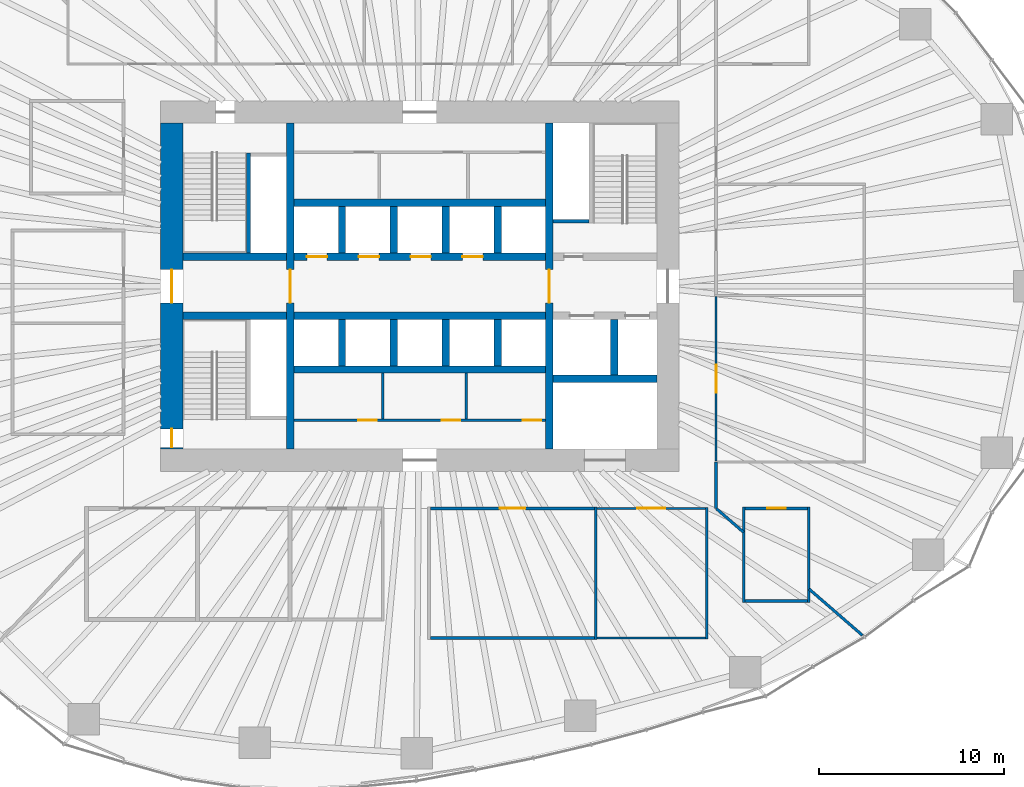
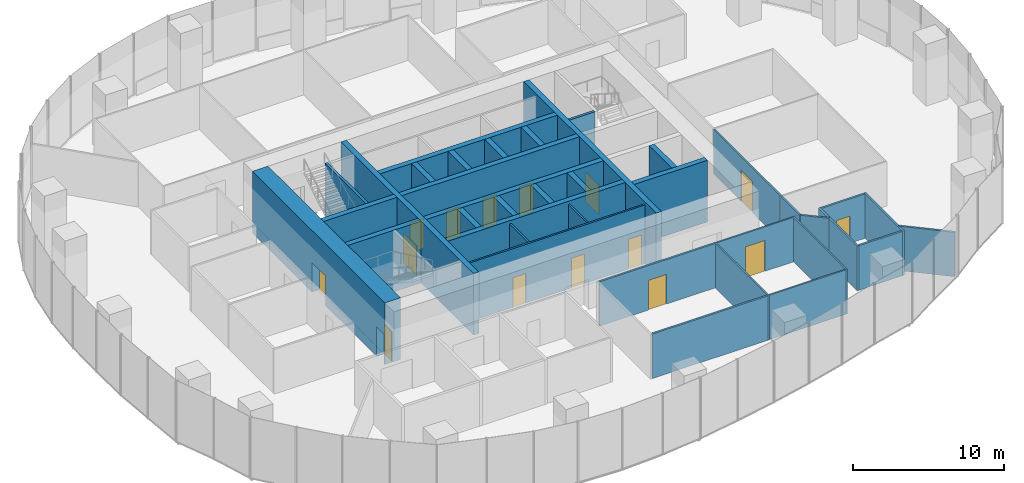
# One storey, part 10 of 20: 38 walls, 15 doors, 15 openings.
"""IFC4 building model written with IfcOpenShell, lengths in metres."""

from ifc_helpers import new_model, si_unit, direction, frame, frame_2d, origin, place, context, subcontext, project, spatial, rectangle, extrude, material, layer, layer_set, type_object, element, fill, save


model = new_model("IFC4")

# Units and contexts
model_context = context("Model", 3, precision=1e-05, world=origin(), true_north=direction((0.0, 1.0)))
body_context = subcontext(model_context, "Body", "Model", "MODEL_VIEW")
ifc_project = project(units=[si_unit("LENGTHUNIT", "METRE"), si_unit("AREAUNIT", "SQUARE_METRE"), si_unit("VOLUMEUNIT", "CUBIC_METRE"), si_unit("PLANEANGLEUNIT", "RADIAN"), si_unit("MASSUNIT", "GRAM", prefix="KILO")], contexts=[model_context])

# Site, building, storey
site_placement = place(None, origin())
site = spatial("IfcSite", under=ifc_project, at=site_placement, CompositionType="ELEMENT")
building_placement = place(site_placement, origin())
building = spatial("IfcBuilding", under=site, at=building_placement, Name="Ghaith Harvest Tower", CompositionType="ELEMENT")
storey_placement = place(building_placement, frame((0.0, 0.0, 65.0)))
storey = spatial("IfcBuildingStorey", under=building, at=storey_placement, Name="L13", CompositionType="ELEMENT", Elevation=65.0)

# Wall, openings, doors
ifc_material_1 = material(Name="Concrete blockwork, fair-faced", Category="masonry")
ifc_layer_1 = layer(ifc_material_1, 0.139892578125)
ifc_layer_set_1 = layer_set([ifc_layer_1], Name="CORE PARTITION 140")
wall_type_1 = type_object("IfcWallType", Name="CORE PARTITION 140", PredefinedType="PARTITIONING", material=ifc_layer_set_1)
wall_1_placement = place(storey_placement, frame((-6.800048828125, -7.22998046875, 0.0), z_axis=(0.0, 0.0, 1.0), x_axis=(1.0, 0.0, 0.0)))
wall_1 = element("IfcWall", 1, at=wall_1_placement, inside=storey, type_object=wall_type_1, Name="Core partition L13", PredefinedType="PARTITIONING", context=body_context, shape_type="SweptSolid", body=[
    extrude(rectangle(XDim=13.60009765625, YDim=0.139892578125, at=frame_2d((6.800048828125, 0.0))), origin(), (0.0, 0.0, 1.0), 4.75),
])
opening_1_placement = place(wall_1_placement, frame((3.47998046875, 0.0, 0.0)))
opening_1 = element("IfcOpeningElement", 2, at=opening_1_placement, cuts=wall_1, Name="Opening 13-011", PredefinedType="OPENING", context=body_context, shape_type="SweptSolid", body=[
    extrude(rectangle(XDim=1.0, YDim=2.39990234375, at=frame_2d((0.5, 1.199951171875))), frame((0.0, 0.080078125, 0.0), z_axis=(0.0, -1.0, 0.0), x_axis=(1.0, 0.0, 0.0)), (0.0, 0.0, 1.0), 0.159912109375),
])
opening_2_placement = place(wall_1_placement, frame((7.97998046875, 0.0, 0.0)))
opening_2 = element("IfcOpeningElement", 3, at=opening_2_placement, cuts=wall_1, Name="Opening 13-012", PredefinedType="OPENING", context=body_context, shape_type="SweptSolid", body=[
    extrude(rectangle(XDim=1.0, YDim=2.39990234375, at=frame_2d((0.5, 1.199951171875))), frame((0.0, 0.080078125, 0.0), z_axis=(0.0, -1.0, 0.0), x_axis=(1.0, 0.0, 0.0)), (0.0, 0.0, 1.0), 0.159912109375),
])
opening_3_placement = place(wall_1_placement, frame((12.35009765625, 0.0, 0.0)))
opening_3 = element("IfcOpeningElement", 4, at=opening_3_placement, cuts=wall_1, Name="Opening 13-013", PredefinedType="OPENING", context=body_context, shape_type="SweptSolid", body=[
    extrude(rectangle(XDim=1.0, YDim=2.39990234375, at=frame_2d((0.5, 1.199951171875))), frame((0.0, 0.080078125, 0.0), z_axis=(0.0, -1.0, 0.0), x_axis=(1.0, 0.0, 0.0)), (0.0, 0.0, 1.0), 0.159912109375),
])
ifc_material_2 = material(Name="Steel fire door", Category="steel")
door_type_1 = type_object("IfcDoorType", Name="D3 FD90 1000x2400", OperationType="SINGLE_SWING_LEFT", PredefinedType="DOOR", material=ifc_material_2)
door_1_placement = place(opening_1_placement, origin())
door_1 = element("IfcDoor", 5, at=door_1_placement, inside=storey, type_object=door_type_1, Name="Electrical room door", OperationType="SINGLE_SWING_LEFT", OverallHeight=2.39990234375, OverallWidth=1.0, PredefinedType="DOOR", context=body_context, shape_type="SweptSolid", body=[
    extrude(rectangle(XDim=1.0, YDim=2.39990234375, at=frame_2d((0.5, 1.199951171875))), frame((0.0, 0.02490234375, 0.0), z_axis=(0.0, -1.0, 0.0), x_axis=(1.0, 0.0, 0.0)), (0.0, 0.0, 1.0), 0.050048828125),
])
fill(opening_1, door_1)
door_2_placement = place(opening_2_placement, origin())
door_2 = element("IfcDoor", 6, at=door_2_placement, inside=storey, type_object=door_type_1, Name="Communications equipment room door", OperationType="SINGLE_SWING_RIGHT", OverallHeight=2.39990234375, OverallWidth=1.0, PredefinedType="DOOR", context=body_context, shape_type="SweptSolid", body=[
    extrude(rectangle(XDim=1.0, YDim=2.39990234375, at=frame_2d((0.5, 1.199951171875))), frame((0.0, 0.02490234375, 0.0), z_axis=(0.0, -1.0, 0.0), x_axis=(1.0, 0.0, 0.0)), (0.0, 0.0, 1.0), 0.050048828125),
])
fill(opening_2, door_2)
door_3_placement = place(opening_3_placement, origin())
door_3 = element("IfcDoor", 7, at=door_3_placement, inside=storey, type_object=door_type_1, Name="Riser room door", OperationType="SINGLE_SWING_RIGHT", OverallHeight=2.39990234375, OverallWidth=1.0, PredefinedType="DOOR", context=body_context, shape_type="SweptSolid", body=[
    extrude(rectangle(XDim=1.0, YDim=2.39990234375, at=frame_2d((0.5, 1.199951171875))), frame((0.0, 0.02490234375, 0.0), z_axis=(0.0, -1.0, 0.0), x_axis=(1.0, 0.0, 0.0)), (0.0, 0.0, 1.0), 0.050048828125),
])
fill(opening_3, door_3)

# Walls
for number, where, z_axis, x_axis, name in (
    (8, (-2.0, -4.699951171875, 0.0), (0.0, 0.0, 1.0), (0.0, -1.0, 0.0), "Core partition L13"),
    (9, (2.5, -4.699951171875, 0.0), (0.0, 0.0, 1.0), (0.0, -1.0, 0.0), "Core partition L13"),
):
    element("IfcWall", number, at=place(storey_placement, frame(where, z_axis=z_axis, x_axis=x_axis)), inside=storey, type_object=wall_type_1, Name=name, PredefinedType="PARTITIONING", context=body_context, shape_type="SweptSolid", body=[
        extrude(rectangle(XDim=2.4599609375, YDim=0.139892578125, at=frame_2d((1.22998046875, 0.0))), origin(), (0.0, 0.0, 1.0), 4.75),
    ])

# Wall, openings, doors
ifc_material_3 = material(Name="Concrete C70/85", Category="concrete")
ifc_layer_2 = layer(ifc_material_3, 1.199951171875)
ifc_layer_set_2 = layer_set([ifc_layer_2], Name="CORE WALL CW1200")
wall_type_2 = type_object("IfcWallType", Name="CORE WALL CW1200", PredefinedType="SHEAR", material=ifc_layer_set_2)
wall_2_placement = place(storey_placement, frame((-13.39990234375, 8.800048828125, 0.0), z_axis=(0.0, 0.0, 1.0), x_axis=(0.0, -1.0, 0.0)))
wall_2 = element("IfcWall", 10, at=wall_2_placement, inside=storey, type_object=wall_type_2, Name="Core wall W L13", PredefinedType="SHEAR", context=body_context, shape_type="SweptSolid", body=[
    extrude(rectangle(XDim=17.60009765625, YDim=1.199951171875, at=frame_2d((8.800048828125, 0.0))), origin(), (0.0, 0.0, 1.0), 5.0),
])
opening_4_placement = place(wall_2_placement, frame((7.89990234375, 0.0, 0.0)))
opening_4 = element("IfcOpeningElement", 11, at=opening_4_placement, cuts=wall_2, Name="Opening 13-001", PredefinedType="OPENING", context=body_context, shape_type="SweptSolid", body=[
    extrude(rectangle(XDim=1.800048828125, YDim=2.39990234375, at=frame_2d((0.89990234375, 1.199951171875))), frame((0.0, 0.60986328125, 0.0), z_axis=(0.0, -1.0, 0.0), x_axis=(1.0, 0.0, 0.0)), (0.0, 0.0, 1.0), 1.219970703125),
])
opening_5_placement = place(wall_2_placement, frame((16.5, 0.0, 0.0)))
opening_5 = element("IfcOpeningElement", 12, at=opening_5_placement, cuts=wall_2, Name="Opening 13-006", PredefinedType="OPENING", context=body_context, shape_type="SweptSolid", body=[
    extrude(rectangle(XDim=1.0, YDim=2.39990234375, at=frame_2d((0.5, 1.199951171875))), frame((0.0, 0.60986328125, 0.0), z_axis=(0.0, -1.0, 0.0), x_axis=(1.0, 0.0, 0.0)), (0.0, 0.0, 1.0), 1.219970703125),
])
door_4_placement = place(opening_5_placement, origin())
door_4 = element("IfcDoor", 13, at=door_4_placement, inside=storey, type_object=door_type_1, Name="Stair ST3 door", OperationType="SINGLE_SWING_RIGHT", OverallHeight=2.39990234375, OverallWidth=1.0, PredefinedType="DOOR", context=body_context, shape_type="SweptSolid", body=[
    extrude(rectangle(XDim=1.0, YDim=2.39990234375, at=frame_2d((0.5, 1.199951171875))), frame((0.0, 0.02490234375, 0.0), z_axis=(0.0, -1.0, 0.0), x_axis=(1.0, 0.0, 0.0)), (0.0, 0.0, 1.0), 0.050048828125),
])
fill(opening_5, door_4)
ifc_material_4 = material(Name="Steel fire door", Category="steel")
door_type_2 = type_object("IfcDoorType", Name="D4 FD90 PAIR 1800x2400", OperationType="DOUBLE_DOOR_SINGLE_SWING", PredefinedType="DOOR", material=ifc_material_4)
door_5_placement = place(opening_4_placement, origin())
door_5 = element("IfcDoor", 14, at=door_5_placement, inside=storey, type_object=door_type_2, Name="West lobby doors", OperationType="DOUBLE_DOOR_SINGLE_SWING", OverallHeight=2.39990234375, OverallWidth=1.800048828125, PredefinedType="DOOR", context=body_context, shape_type="SweptSolid", body=[
    extrude(rectangle(XDim=1.800048828125, YDim=2.39990234375, at=frame_2d((0.89990234375, 1.199951171875))), frame((0.0, 0.02490234375, 0.0), z_axis=(0.0, -1.0, 0.0), x_axis=(1.0, 0.0, 0.0)), (0.0, 0.0, 1.0), 0.050048828125),
])
fill(opening_4, door_5)

# Wall, opening, door
ifc_material_5 = material(Name="Insulated food-grade panel", Category="steel")
ifc_layer_3 = layer(ifc_material_5, 0.1201171875)
ifc_layer_set_3 = layer_set([ifc_layer_3], Name="INSULATED PANEL WALL 120")
wall_type_3 = type_object("IfcWallType", Name="INSULATED PANEL WALL 120", PredefinedType="PARTITIONING", material=ifc_layer_set_3)
wall_3_placement = place(storey_placement, frame((16.0, -9.43994140625, 0.0), z_axis=(0.0, 0.0, 1.0), x_axis=(0.0, 1.0, 0.0)))
wall_3 = element("IfcWall", 15, at=wall_3_placement, inside=storey, type_object=wall_type_3, Name="Partition L13-05", PredefinedType="PARTITIONING", context=body_context, shape_type="SweptSolid", body=[
    extrude(rectangle(XDim=8.8798828125, YDim=0.1201171875, at=frame_2d((4.43994140625, 0.0))), origin(), (0.0, 0.0, 1.0), 3.60009765625),
])
opening_6_placement = place(wall_3_placement, frame((3.68994140625, 0.0, 0.0)))
opening_6 = element("IfcOpeningElement", 16, at=opening_6_placement, cuts=wall_3, Name="Opening 13-027", PredefinedType="OPENING", context=body_context, shape_type="SweptSolid", body=[
    extrude(rectangle(XDim=1.5, YDim=2.5, at=frame_2d((0.75, 1.25))), frame((0.0, 0.070068359375, 0.0), z_axis=(0.0, -1.0, 0.0), x_axis=(1.0, 0.0, 0.0)), (0.0, 0.0, 1.0), 0.14013671875),
])
ifc_material_6 = material(Name="Insulated steel sliding door", Category="steel")
door_type_3 = type_object("IfcDoorType", Name="D13 COLD STORE SLIDING 1500x2500", OperationType="SLIDING_TO_LEFT", PredefinedType="DOOR", material=ifc_material_6)
door_6_placement = place(opening_6_placement, origin())
door_6 = element("IfcDoor", 17, at=door_6_placement, inside=storey, type_object=door_type_3, Name="Herb growing room door", OperationType="SLIDING_TO_LEFT", OverallHeight=2.5, OverallWidth=1.5, PredefinedType="DOOR", context=body_context, shape_type="SweptSolid", body=[
    extrude(rectangle(XDim=1.5, YDim=2.5, at=frame_2d((0.75, 1.25))), frame((0.0, 0.02490234375, 0.0), z_axis=(0.0, -1.0, 0.0), x_axis=(1.0, 0.0, 0.0)), (0.0, 0.0, 1.0), 0.050048828125),
])
fill(opening_6, door_6)

# Walls
wall_4_placement = place(storey_placement, frame((9.5, -11.925048828125, 0.0), z_axis=(0.0, 0.0, 1.0), x_axis=(0.0, -1.0, 0.0)))
element("IfcWall", 18, at=wall_4_placement, inside=storey, type_object=wall_type_3, Name="Partition L13 row S6 cross wall 2", PredefinedType="PARTITIONING", context=body_context, shape_type="SweptSolid", body=[
    extrude(rectangle(XDim=7.14990234375, YDim=0.1201171875, at=frame_2d((3.574951171875, 0.0))), origin(), (0.0, 0.0, 1.0), 3.60009765625),
])
wall_5_placement = place(storey_placement, frame((15.5, -11.93994140625, 0.0), z_axis=(0.0, 0.0, 1.0), x_axis=(0.0, -1.0, 0.0)))
element("IfcWall", 19, at=wall_5_placement, inside=storey, type_object=wall_type_3, Name="Partition L13 row S6 cross wall 3", PredefinedType="PARTITIONING", context=body_context, shape_type="SweptSolid", body=[
    extrude(rectangle(XDim=7.1201171875, YDim=0.1201171875, at=frame_2d((3.56005859375, 0.0))), origin(), (0.0, 0.0, 1.0), 3.60009765625),
])

# Wall, opening, door
wall_6_placement = place(storey_placement, frame((9.56005859375, -12.0, 0.0), z_axis=(0.0, 0.0, 1.0), x_axis=(1.0, 0.0, 0.0)))
wall_6 = element("IfcWall", 20, at=wall_6_placement, inside=storey, type_object=wall_type_3, Name="Partition L13-13", PredefinedType="PARTITIONING", context=body_context, shape_type="SweptSolid", body=[
    extrude(rectangle(XDim=5.8798828125, YDim=0.1201171875, at=frame_2d((2.93994140625, 0.0))), origin(), (0.0, 0.0, 1.0), 3.60009765625),
])
opening_7_placement = place(wall_6_placement, frame((2.18994140625, 0.0, 0.0)))
opening_7 = element("IfcOpeningElement", 21, at=opening_7_placement, cuts=wall_6, Name="Opening 13-035", PredefinedType="OPENING", context=body_context, shape_type="SweptSolid", body=[
    extrude(rectangle(XDim=1.5, YDim=2.5, at=frame_2d((0.75, 1.25))), frame((0.0, 0.070068359375, 0.0), z_axis=(0.0, -1.0, 0.0), x_axis=(1.0, 0.0, 0.0)), (0.0, 0.0, 1.0), 0.14013671875),
])
door_7_placement = place(opening_7_placement, origin())
door_7 = element("IfcDoor", 22, at=door_7_placement, inside=storey, type_object=door_type_3, Name="Cold store door", OperationType="SLIDING_TO_LEFT", OverallHeight=2.5, OverallWidth=1.5, PredefinedType="DOOR", context=body_context, shape_type="SweptSolid", body=[
    extrude(rectangle(XDim=1.5, YDim=2.5, at=frame_2d((0.75, 1.25))), frame((0.0, 0.02490234375, 0.0), z_axis=(0.0, -1.0, 0.0), x_axis=(1.0, 0.0, 0.0)), (0.0, 0.0, 1.0), 0.050048828125),
])
fill(opening_7, door_7)

# Wall
wall_7_placement = place(storey_placement, frame((9.56005859375, -19.0, 0.0), z_axis=(0.0, 0.0, 1.0), x_axis=(1.0, 0.0, 0.0)))
element("IfcWall", 23, at=wall_7_placement, inside=storey, type_object=wall_type_3, Name="Partition L13-13", PredefinedType="PARTITIONING", context=body_context, shape_type="SweptSolid", body=[
    extrude(rectangle(XDim=5.8798828125, YDim=0.1201171875, at=frame_2d((2.93994140625, 0.0))), origin(), (0.0, 0.0, 1.0), 3.60009765625),
])

# Wall, opening, door
ifc_material_7 = material(Name="Gypsum board on steel studs", Category="steel")
ifc_layer_4 = layer(ifc_material_7, 0.14990234375)
ifc_layer_set_4 = layer_set([ifc_layer_4], Name="PARTITION 150")
wall_type_4 = type_object("IfcWallType", Name="PARTITION 150", PredefinedType="PARTITIONING", material=ifc_layer_set_4)
wall_8_placement = place(storey_placement, frame((0.574951171875, -12.0, 0.0), z_axis=(0.0, 0.0, 1.0), x_axis=(1.0, 0.0, 0.0)))
wall_8 = element("IfcWall", 24, at=wall_8_placement, inside=storey, type_object=wall_type_4, Name="Partition L13-12", PredefinedType="PARTITIONING", context=body_context, shape_type="SweptSolid", body=[
    extrude(rectangle(XDim=8.864990234375, YDim=0.14990234375, at=frame_2d((4.4326171875, 0.0))), origin(), (0.0, 0.0, 1.0), 3.60009765625),
])
opening_8_placement = place(wall_8_placement, frame((3.732421875, 0.0, 0.0)))
opening_8 = element("IfcOpeningElement", 25, at=opening_8_placement, cuts=wall_8, Name="Opening 13-034", PredefinedType="OPENING", context=body_context, shape_type="SweptSolid", body=[
    extrude(rectangle(XDim=1.39990234375, YDim=2.39990234375, at=frame_2d((0.699951171875, 1.199951171875))), frame((0.0, 0.0849609375, 0.0), z_axis=(0.0, -1.0, 0.0), x_axis=(1.0, 0.0, 0.0)), (0.0, 0.0, 1.0), 0.169921875),
])
ifc_material_8 = material(Name="Stainless steel faced door pair", Category="steel")
door_type_4 = type_object("IfcDoorType", Name="D14 HYGIENE PAIR 1400x2400", OperationType="DOUBLE_DOOR_DOUBLE_SWING", PredefinedType="DOOR", material=ifc_material_8)
door_8_placement = place(opening_8_placement, origin())
door_8 = element("IfcDoor", 26, at=door_8_placement, inside=storey, type_object=door_type_4, Name="Packing room door", OperationType="DOUBLE_DOOR_DOUBLE_SWING", OverallHeight=2.39990234375, OverallWidth=1.39990234375, PredefinedType="DOOR", context=body_context, shape_type="SweptSolid", body=[
    extrude(rectangle(XDim=1.39990234375, YDim=2.39990234375, at=frame_2d((0.699951171875, 1.199951171875))), frame((0.0, 0.02490234375, 0.0), z_axis=(0.0, -1.0, 0.0), x_axis=(1.0, 0.0, 0.0)), (0.0, 0.0, 1.0), 0.050048828125),
])
fill(opening_8, door_8)

# Walls
wall_9_placement = place(storey_placement, frame((0.574951171875, -19.0, 0.0), z_axis=(0.0, 0.0, 1.0), x_axis=(1.0, 0.0, 0.0)))
element("IfcWall", 27, at=wall_9_placement, inside=storey, type_object=wall_type_4, Name="Partition L13-12", PredefinedType="PARTITIONING", context=body_context, shape_type="SweptSolid", body=[
    extrude(rectangle(XDim=8.864990234375, YDim=0.14990234375, at=frame_2d((4.4326171875, 0.0))), origin(), (0.0, 0.0, 1.0), 3.60009765625),
])
for number, where, z_axis, x_axis, name in (
    (28, (17.5, -11.925048828125, 0.0), (0.0, 0.0, 1.0), (0.0, -1.0, 0.0), "Partition L13 row S8 cross wall 1"),
    (29, (21.0, -11.925048828125, 0.0), (0.0, 0.0, 1.0), (0.0, -1.0, 0.0), "Partition L13 row S8 cross wall 2"),
):
    element("IfcWall", number, at=place(storey_placement, frame(where, z_axis=z_axis, x_axis=x_axis)), inside=storey, type_object=wall_type_4, Name=name, PredefinedType="PARTITIONING", context=body_context, shape_type="SweptSolid", body=[
        extrude(rectangle(XDim=5.14990234375, YDim=0.14990234375, at=frame_2d((2.574951171875, 0.0))), origin(), (0.0, 0.0, 1.0), 3.60009765625),
    ])

# Wall, opening, door
wall_10_placement = place(storey_placement, frame((17.574951171875, -12.0, 0.0), z_axis=(0.0, 0.0, 1.0), x_axis=(1.0, 0.0, 0.0)))
wall_10 = element("IfcWall", 30, at=wall_10_placement, inside=storey, type_object=wall_type_4, Name="Partition L13-15", PredefinedType="PARTITIONING", context=body_context, shape_type="SweptSolid", body=[
    extrude(rectangle(XDim=3.35009765625, YDim=0.14990234375, at=frame_2d((1.675048828125, 0.0))), origin(), (0.0, 0.0, 1.0), 3.60009765625),
])
opening_9_placement = place(wall_10_placement, frame((1.175048828125, 0.0, 0.0)))
opening_9 = element("IfcOpeningElement", 31, at=opening_9_placement, cuts=wall_10, Name="Opening 13-037", PredefinedType="OPENING", context=body_context, shape_type="SweptSolid", body=[
    extrude(rectangle(XDim=1.0, YDim=2.199951171875, at=frame_2d((0.5, 1.10009765625))), frame((0.0, 0.0849609375, 0.0), z_axis=(0.0, -1.0, 0.0), x_axis=(1.0, 0.0, 0.0)), (0.0, 0.0, 1.0), 0.169921875),
])
ifc_material_9 = material(Name="Timber door", Category="wood")
door_type_5 = type_object("IfcDoorType", Name="D1 SINGLE 1000x2200", OperationType="SINGLE_SWING_LEFT", PredefinedType="DOOR", material=ifc_material_9)
door_9_placement = place(opening_9_placement, origin())
door_9 = element("IfcDoor", 32, at=door_9_placement, inside=storey, type_object=door_type_5, Name="Store door", OperationType="SINGLE_SWING_LEFT", OverallHeight=2.199951171875, OverallWidth=1.0, PredefinedType="DOOR", context=body_context, shape_type="SweptSolid", body=[
    extrude(rectangle(XDim=1.0, YDim=2.199951171875, at=frame_2d((0.5, 1.10009765625))), frame((0.0, 0.02490234375, 0.0), z_axis=(0.0, -1.0, 0.0), x_axis=(1.0, 0.0, 0.0)), (0.0, 0.0, 1.0), 0.050048828125),
])
fill(opening_9, door_9)

# Walls
wall_11_placement = place(storey_placement, frame((17.574951171875, -17.0, 0.0), z_axis=(0.0, 0.0, 1.0), x_axis=(1.0, 0.0, 0.0)))
element("IfcWall", 33, at=wall_11_placement, inside=storey, type_object=wall_type_4, Name="Partition L13-15", PredefinedType="PARTITIONING", context=body_context, shape_type="SweptSolid", body=[
    extrude(rectangle(XDim=3.35009765625, YDim=0.14990234375, at=frame_2d((1.675048828125, 0.0))), origin(), (0.0, 0.0, 1.0), 3.60009765625),
])
wall_12_placement = place(storey_placement, frame((21.02001953125, -16.35400390625, 0.0), z_axis=(0.0, 0.0, 1.0), x_axis=(0.755425653008, -0.655234372402, 0.0)))
element("IfcWall", 34, at=wall_12_placement, inside=storey, type_object=wall_type_4, Name="Partition L13 zone division", PredefinedType="PARTITIONING", context=body_context, shape_type="SweptSolid", body=[
    extrude(rectangle(XDim=3.8232421875, YDim=0.14990234375, at=frame_2d((1.91162109375, 0.0))), origin(), (0.0, 0.0, 1.0), 3.60009765625),
])
wall_13_placement = place(storey_placement, frame((16.01513671875, -12.01318359375, 0.0), z_axis=(0.0, 0.0, 1.0), x_axis=(0.755439771284, -0.65521809496, 0.0)))
element("IfcWall", 35, at=wall_13_placement, inside=storey, type_object=wall_type_4, Name="Partition L13 zone division", PredefinedType="PARTITIONING", context=body_context, shape_type="SweptSolid", body=[
    extrude(rectangle(XDim=1.93896484375, YDim=0.14990234375, at=frame_2d((0.969482421875, 0.0))), origin(), (0.0, 0.0, 1.0), 3.60009765625),
])
wall_14_placement = place(storey_placement, frame((16.0, -12.0, 0.0), z_axis=(0.0, 0.0, 1.0), x_axis=(0.0, 1.0, 0.0)))
element("IfcWall", 36, at=wall_14_placement, inside=storey, type_object=wall_type_4, Name="Partition L13 zone enclosure", PredefinedType="PARTITIONING", context=body_context, shape_type="SweptSolid", body=[
    extrude(rectangle(XDim=2.5, YDim=0.14990234375, at=frame_2d((1.25, 0.0))), origin(), (0.0, 0.0, 1.0), 3.60009765625),
])

# Wall, opening, door
ifc_material_10 = material(Name="Concrete C70/85", Category="concrete")
ifc_layer_5 = layer(ifc_material_10, 0.39990234375)
ifc_layer_set_5 = layer_set([ifc_layer_5], Name="SHAFT WALL 400")
wall_type_5 = type_object("IfcWallType", Name="SHAFT WALL 400", PredefinedType="SHEAR", material=ifc_layer_set_5)
wall_15_placement = place(storey_placement, frame((-7.0, -8.800048828125, 0.0), z_axis=(0.0, 0.0, 1.0), x_axis=(0.0, 1.0, 0.0)))
wall_15 = element("IfcWall", 37, at=wall_15_placement, inside=storey, type_object=wall_type_5, Name="Shaft wall W7W L13", PredefinedType="SHEAR", context=body_context, shape_type="SweptSolid", body=[
    extrude(rectangle(XDim=17.60009765625, YDim=0.39990234375, at=frame_2d((8.800048828125, 0.0))), origin(), (0.0, 0.0, 1.0), 5.0),
])
opening_10_placement = place(wall_15_placement, frame((7.89990234375, 0.0, 0.0)))
opening_10 = element("IfcOpeningElement", 38, at=opening_10_placement, cuts=wall_15, Name="Opening 13-003", PredefinedType="OPENING", context=body_context, shape_type="SweptSolid", body=[
    extrude(rectangle(XDim=1.800048828125, YDim=2.39990234375, at=frame_2d((0.89990234375, 1.199951171875))), frame((0.0, 0.2099609375, 0.0), z_axis=(0.0, -1.0, 0.0), x_axis=(1.0, 0.0, 0.0)), (0.0, 0.0, 1.0), 0.419921875),
])
door_10_placement = place(opening_10_placement, origin())
door_10 = element("IfcDoor", 39, at=door_10_placement, inside=storey, type_object=door_type_2, Name="Lift lobby doors, west", OperationType="DOUBLE_DOOR_SINGLE_SWING", OverallHeight=2.39990234375, OverallWidth=1.800048828125, PredefinedType="DOOR", context=body_context, shape_type="SweptSolid", body=[
    extrude(rectangle(XDim=1.800048828125, YDim=2.39990234375, at=frame_2d((0.89990234375, 1.199951171875))), frame((0.0, 0.02490234375, 0.0), z_axis=(0.0, -1.0, 0.0), x_axis=(1.0, 0.0, 0.0)), (0.0, 0.0, 1.0), 0.050048828125),
])
fill(opening_10, door_10)

wall_16_placement = place(storey_placement, frame((7.0, -8.800048828125, 0.0), z_axis=(0.0, 0.0, 1.0), x_axis=(0.0, 1.0, 0.0)))
wall_16 = element("IfcWall", 40, at=wall_16_placement, inside=storey, type_object=wall_type_5, Name="Shaft wall W7E L13", PredefinedType="SHEAR", context=body_context, shape_type="SweptSolid", body=[
    extrude(rectangle(XDim=17.60009765625, YDim=0.39990234375, at=frame_2d((8.800048828125, 0.0))), origin(), (0.0, 0.0, 1.0), 5.0),
])
opening_11_placement = place(wall_16_placement, frame((7.89990234375, 0.0, 0.0)))
opening_11 = element("IfcOpeningElement", 41, at=opening_11_placement, cuts=wall_16, Name="Opening 13-004", PredefinedType="OPENING", context=body_context, shape_type="SweptSolid", body=[
    extrude(rectangle(XDim=1.800048828125, YDim=2.39990234375, at=frame_2d((0.89990234375, 1.199951171875))), frame((0.0, 0.2099609375, 0.0), z_axis=(0.0, -1.0, 0.0), x_axis=(1.0, 0.0, 0.0)), (0.0, 0.0, 1.0), 0.419921875),
])
door_11_placement = place(opening_11_placement, origin())
door_11 = element("IfcDoor", 42, at=door_11_placement, inside=storey, type_object=door_type_2, Name="Lift lobby doors, east", OperationType="DOUBLE_DOOR_SINGLE_SWING", OverallHeight=2.39990234375, OverallWidth=1.800048828125, PredefinedType="DOOR", context=body_context, shape_type="SweptSolid", body=[
    extrude(rectangle(XDim=1.800048828125, YDim=2.39990234375, at=frame_2d((0.89990234375, 1.199951171875))), frame((0.0, 0.02490234375, 0.0), z_axis=(0.0, -1.0, 0.0), x_axis=(1.0, 0.0, 0.0)), (0.0, 0.0, 1.0), 0.050048828125),
])
fill(opening_11, door_11)

# Wall, openings, doors
wall_17_placement = place(storey_placement, frame((-6.800048828125, 1.60009765625, 0.0), z_axis=(0.0, 0.0, 1.0), x_axis=(1.0, 0.0, 0.0)))
wall_17 = element("IfcWall", 43, at=wall_17_placement, inside=storey, type_object=wall_type_5, Name="Shaft wall LN L13", PredefinedType="SHEAR", context=body_context, shape_type="SweptSolid", body=[
    extrude(rectangle(XDim=13.60009765625, YDim=0.39990234375, at=frame_2d((6.800048828125, 0.0))), origin(), (0.0, 0.0, 1.0), 5.0),
])
opening_12_placement = place(wall_17_placement, frame((0.699951171875, 0.0, 0.0)))
opening_12 = element("IfcOpeningElement", 44, at=opening_12_placement, cuts=wall_17, Name="Opening 13-016", PredefinedType="OPENING", context=body_context, shape_type="SweptSolid", body=[
    extrude(rectangle(XDim=1.10009765625, YDim=2.39990234375, at=frame_2d((0.550048828125, 1.199951171875))), frame((0.0, 0.2099609375, 0.0), z_axis=(0.0, -1.0, 0.0), x_axis=(1.0, 0.0, 0.0)), (0.0, 0.0, 1.0), 0.419921875),
])
opening_13_placement = place(wall_17_placement, frame((3.5, 0.0, 0.0)))
opening_13 = element("IfcOpeningElement", 45, at=opening_13_placement, cuts=wall_17, Name="Opening 13-017", PredefinedType="OPENING", context=body_context, shape_type="SweptSolid", body=[
    extrude(rectangle(XDim=1.10009765625, YDim=2.39990234375, at=frame_2d((0.550048828125, 1.199951171875))), frame((0.0, 0.2099609375, 0.0), z_axis=(0.0, -1.0, 0.0), x_axis=(1.0, 0.0, 0.0)), (0.0, 0.0, 1.0), 0.419921875),
])
opening_14_placement = place(wall_17_placement, frame((6.300048828125, 0.0, 0.0)))
opening_14 = element("IfcOpeningElement", 46, at=opening_14_placement, cuts=wall_17, Name="Opening 13-018", PredefinedType="OPENING", context=body_context, shape_type="SweptSolid", body=[
    extrude(rectangle(XDim=1.10009765625, YDim=2.39990234375, at=frame_2d((0.550048828125, 1.199951171875))), frame((0.0, 0.2099609375, 0.0), z_axis=(0.0, -1.0, 0.0), x_axis=(1.0, 0.0, 0.0)), (0.0, 0.0, 1.0), 0.419921875),
])
opening_15_placement = place(wall_17_placement, frame((9.10009765625, 0.0, 0.0)))
opening_15 = element("IfcOpeningElement", 47, at=opening_15_placement, cuts=wall_17, Name="Opening 13-019", PredefinedType="OPENING", context=body_context, shape_type="SweptSolid", body=[
    extrude(rectangle(XDim=1.10009765625, YDim=2.39990234375, at=frame_2d((0.550048828125, 1.199951171875))), frame((0.0, 0.2099609375, 0.0), z_axis=(0.0, -1.0, 0.0), x_axis=(1.0, 0.0, 0.0)), (0.0, 0.0, 1.0), 0.419921875),
])
ifc_material_11 = material(Name="Steel fire door", Category="steel")
door_type_6 = type_object("IfcDoorType", Name="LD1 LANDING 1100x2400", OperationType="DOUBLE_DOOR_SLIDING", PredefinedType="DOOR", material=ifc_material_11)
door_12_placement = place(opening_12_placement, origin())
door_12 = element("IfcDoor", 48, at=door_12_placement, inside=storey, type_object=door_type_6, Name="Landing door, lift FA1", OperationType="DOUBLE_DOOR_SLIDING", OverallHeight=2.39990234375, OverallWidth=1.10009765625, PredefinedType="DOOR", context=body_context, shape_type="SweptSolid", body=[
    extrude(rectangle(XDim=1.10009765625, YDim=2.39990234375, at=frame_2d((0.550048828125, 1.199951171875))), frame((0.0, 0.02490234375, 0.0), z_axis=(0.0, -1.0, 0.0), x_axis=(1.0, 0.0, 0.0)), (0.0, 0.0, 1.0), 0.050048828125),
])
fill(opening_12, door_12)
door_13_placement = place(opening_13_placement, origin())
door_13 = element("IfcDoor", 49, at=door_13_placement, inside=storey, type_object=door_type_6, Name="Landing door, lift FA2", OperationType="DOUBLE_DOOR_SLIDING", OverallHeight=2.39990234375, OverallWidth=1.10009765625, PredefinedType="DOOR", context=body_context, shape_type="SweptSolid", body=[
    extrude(rectangle(XDim=1.10009765625, YDim=2.39990234375, at=frame_2d((0.550048828125, 1.199951171875))), frame((0.0, 0.02490234375, 0.0), z_axis=(0.0, -1.0, 0.0), x_axis=(1.0, 0.0, 0.0)), (0.0, 0.0, 1.0), 0.050048828125),
])
fill(opening_13, door_13)
door_14_placement = place(opening_14_placement, origin())
door_14 = element("IfcDoor", 50, at=door_14_placement, inside=storey, type_object=door_type_6, Name="Landing door, lift FA3", OperationType="DOUBLE_DOOR_SLIDING", OverallHeight=2.39990234375, OverallWidth=1.10009765625, PredefinedType="DOOR", context=body_context, shape_type="SweptSolid", body=[
    extrude(rectangle(XDim=1.10009765625, YDim=2.39990234375, at=frame_2d((0.550048828125, 1.199951171875))), frame((0.0, 0.02490234375, 0.0), z_axis=(0.0, -1.0, 0.0), x_axis=(1.0, 0.0, 0.0)), (0.0, 0.0, 1.0), 0.050048828125),
])
fill(opening_14, door_14)
door_15_placement = place(opening_15_placement, origin())
door_15 = element("IfcDoor", 51, at=door_15_placement, inside=storey, type_object=door_type_6, Name="Landing door, lift FA4", OperationType="DOUBLE_DOOR_SLIDING", OverallHeight=2.39990234375, OverallWidth=1.10009765625, PredefinedType="DOOR", context=body_context, shape_type="SweptSolid", body=[
    extrude(rectangle(XDim=1.10009765625, YDim=2.39990234375, at=frame_2d((0.550048828125, 1.199951171875))), frame((0.0, 0.02490234375, 0.0), z_axis=(0.0, -1.0, 0.0), x_axis=(1.0, 0.0, 0.0)), (0.0, 0.0, 1.0), 0.050048828125),
])
fill(opening_15, door_15)

# Walls
for number, where, z_axis, x_axis, name in (
    (52, (-6.800048828125, -1.60009765625, 0.0), (0.0, 0.0, 1.0), (1.0, 0.0, 0.0), "Shaft wall LS L13"),
    (53, (-6.800048828125, 4.5, 0.0), (0.0, 0.0, 1.0), (1.0, 0.0, 0.0), "Shaft wall BN L13"),
    (54, (-6.800048828125, -4.5, 0.0), (0.0, 0.0, 1.0), (1.0, 0.0, 0.0), "Shaft wall BS L13"),
):
    element("IfcWall", number, at=place(storey_placement, frame(where, z_axis=z_axis, x_axis=x_axis)), inside=storey, type_object=wall_type_5, Name=name, PredefinedType="SHEAR", context=body_context, shape_type="SweptSolid", body=[
        extrude(rectangle(XDim=13.60009765625, YDim=0.39990234375, at=frame_2d((6.800048828125, 0.0))), origin(), (0.0, 0.0, 1.0), 5.0),
    ])
for number, where, z_axis, x_axis, name in (
    (55, (-12.800048828125, 1.60009765625, 0.0), (0.0, 0.0, 1.0), (1.0, 0.0, 0.0), "Shaft wall WN L13"),
    (56, (-12.800048828125, -1.60009765625, 0.0), (0.0, 0.0, 1.0), (1.0, 0.0, 0.0), "Shaft wall WS L13"),
):
    element("IfcWall", number, at=place(storey_placement, frame(where, z_axis=z_axis, x_axis=x_axis)), inside=storey, type_object=wall_type_5, Name=name, PredefinedType="SHEAR", context=body_context, shape_type="SweptSolid", body=[
        extrude(rectangle(XDim=5.60009765625, YDim=0.39990234375, at=frame_2d((2.800048828125, 0.0))), origin(), (0.0, 0.0, 1.0), 5.0),
    ])
wall_18_placement = place(storey_placement, frame((10.5, -4.800048828125, 0.0), z_axis=(0.0, 0.0, 1.0), x_axis=(0.0, 1.0, 0.0)))
element("IfcWall", 57, at=wall_18_placement, inside=storey, type_object=wall_type_5, Name="Shaft wall FLD L13", PredefinedType="SHEAR", context=body_context, shape_type="SweptSolid", body=[
    extrude(rectangle(XDim=3.0, YDim=0.39990234375, at=frame_2d((1.5, 0.0))), origin(), (0.0, 0.0, 1.0), 5.0),
])
wall_19_placement = place(storey_placement, frame((7.199951171875, -5.0, 0.0), z_axis=(0.0, 0.0, 1.0), x_axis=(1.0, 0.0, 0.0)))
element("IfcWall", 58, at=wall_19_placement, inside=storey, type_object=wall_type_5, Name="Shaft wall FLB L13", PredefinedType="SHEAR", context=body_context, shape_type="SweptSolid", body=[
    extrude(rectangle(XDim=5.60009765625, YDim=0.39990234375, at=frame_2d((2.800048828125, 0.0))), origin(), (0.0, 0.0, 1.0), 5.0),
])
for number, where, z_axis, x_axis, name in (
    (59, (-4.199951171875, 1.800048828125, 0.0), (0.0, 0.0, 1.0), (0.0, 1.0, 0.0), "Shaft wall DN1 L13"),
    (60, (-4.199951171875, -4.300048828125, 0.0), (0.0, 0.0, 1.0), (0.0, 1.0, 0.0), "Shaft wall DS1 L13"),
    (61, (-1.39990234375, 1.800048828125, 0.0), (0.0, 0.0, 1.0), (0.0, 1.0, 0.0), "Shaft wall DN2 L13"),
    (62, (-1.39990234375, -4.300048828125, 0.0), (0.0, 0.0, 1.0), (0.0, 1.0, 0.0), "Shaft wall DS2 L13"),
    (63, (1.39990234375, 1.800048828125, 0.0), (0.0, 0.0, 1.0), (0.0, 1.0, 0.0), "Shaft wall DN3 L13"),
    (64, (1.39990234375, -4.300048828125, 0.0), (0.0, 0.0, 1.0), (0.0, 1.0, 0.0), "Shaft wall DS3 L13"),
    (65, (4.199951171875, 1.800048828125, 0.0), (0.0, 0.0, 1.0), (0.0, 1.0, 0.0), "Shaft wall DN4 L13"),
    (66, (4.199951171875, -4.300048828125, 0.0), (0.0, 0.0, 1.0), (0.0, 1.0, 0.0), "Shaft wall DS4 L13"),
):
    element("IfcWall", number, at=place(storey_placement, frame(where, z_axis=z_axis, x_axis=x_axis)), inside=storey, type_object=wall_type_5, Name=name, PredefinedType="SHEAR", context=body_context, shape_type="SweptSolid", body=[
        extrude(rectangle(XDim=2.5, YDim=0.39990234375, at=frame_2d((1.25, 0.0))), origin(), (0.0, 0.0, 1.0), 5.0),
    ])
ifc_material_12 = material(Name="Concrete C40/50", Category="concrete")
ifc_layer_6 = layer(ifc_material_12, 0.199951171875)
ifc_layer_set_6 = layer_set([ifc_layer_6], Name="STAIR SPINE WALL RC200")
wall_type_6 = type_object("IfcWallType", Name="STAIR SPINE WALL RC200", PredefinedType="SOLIDWALL", material=ifc_layer_set_6)
wall_20_placement = place(storey_placement, frame((-9.25, 7.199951171875, 0.0), z_axis=(0.0, 0.0, 1.0), x_axis=(0.0, -1.0, 0.0)))
element("IfcWall", 67, at=wall_20_placement, inside=storey, type_object=wall_type_6, Name="Stair ST1 spine wall L13", PredefinedType="SOLIDWALL", context=body_context, shape_type="SweptSolid", body=[
    extrude(rectangle(XDim=5.39990234375, YDim=0.199951171875, at=frame_2d((2.699951171875, 0.0))), origin(), (0.0, 0.0, 1.0), 5.0),
])
wall_21_placement = place(storey_placement, frame((9.14990234375, 3.5, 0.0), z_axis=(0.0, 0.0, 1.0), x_axis=(-1.0, 0.0, 0.0)))
element("IfcWall", 68, at=wall_21_placement, inside=storey, type_object=wall_type_6, Name="Stair ST2 spine wall return L13", PredefinedType="SOLIDWALL", context=body_context, shape_type="SweptSolid", body=[
    extrude(rectangle(XDim=1.949951171875, YDim=0.199951171875, at=frame_2d((0.97509765625, 0.0))), origin(), (0.0, 0.0, 1.0), 5.0),
])

save(model, "model.ifc")
